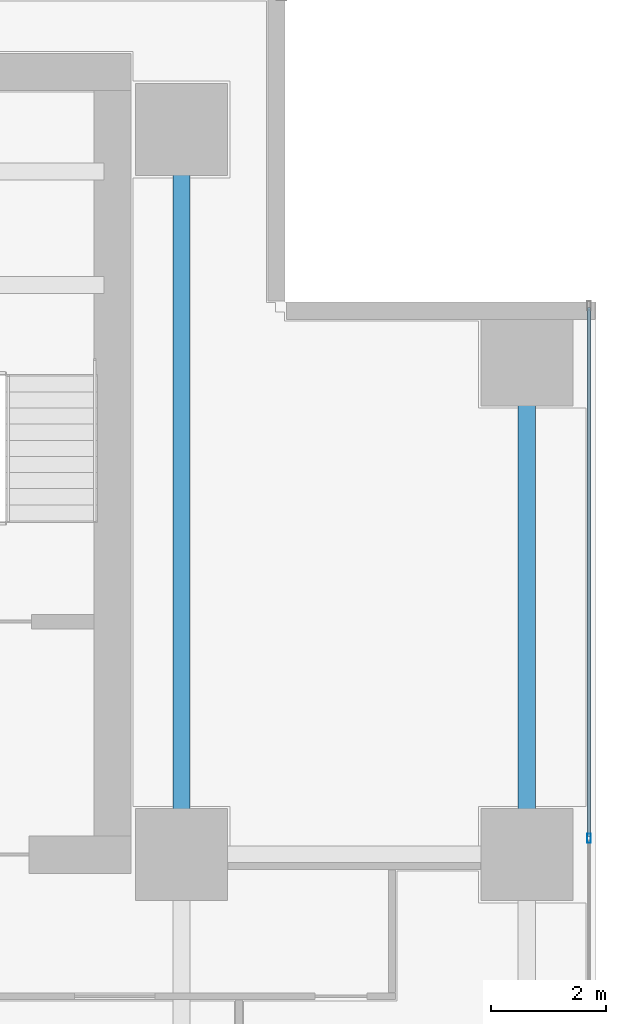
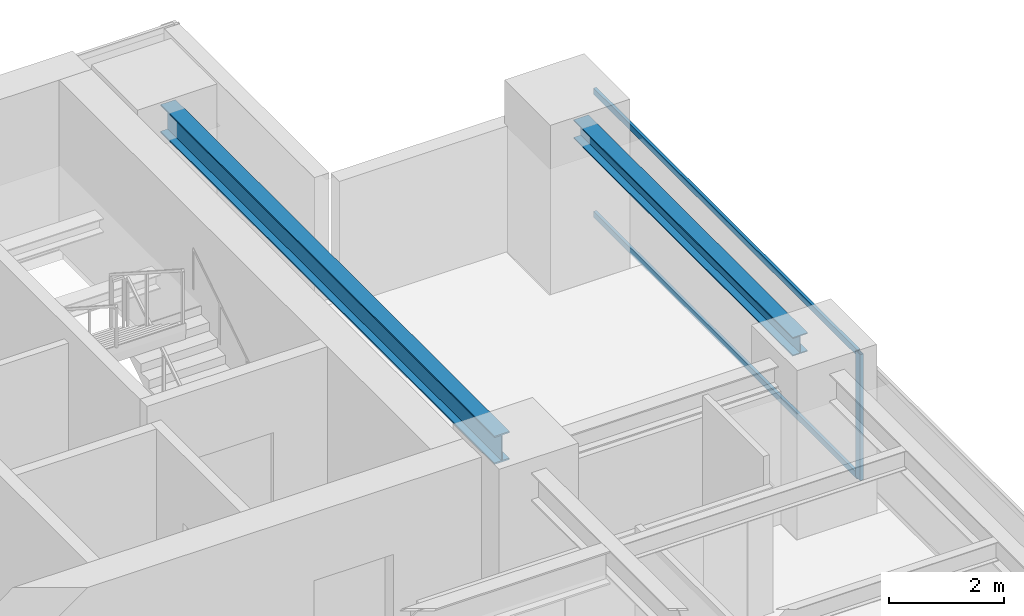
# One storey, part 18 of 28: 3 members, 2 beams, 1 element without a shape of its own.
"""IFC4 building model written with IfcOpenShell, lengths in metres."""

from ifc_helpers import new_model, si_unit, direction, frame, origin, origin_2d, place, context, subcontext, project, spatial, hollow_rectangle, i_section, extrude, source, transform, mapped, material, layer, layer_set, material_profile, profile_set, type_object, element, aggregate, save


model = new_model("IFC4")

# Units and contexts
model_context = context("Model", 3, precision=1e-05, world=origin(), true_north=direction((0.0, 1.0)))
body_context = subcontext(model_context, "Body", "Model", "MODEL_VIEW")
ifc_project = project(units=[si_unit("LENGTHUNIT", "METRE"), si_unit("AREAUNIT", "SQUARE_METRE"), si_unit("VOLUMEUNIT", "CUBIC_METRE"), si_unit("PLANEANGLEUNIT", "RADIAN"), si_unit("MASSUNIT", "GRAM", prefix="KILO")], contexts=[model_context])

# Site, building, storey
site_placement = place(None, origin())
site = spatial("IfcSite", under=ifc_project, at=site_placement, CompositionType="ELEMENT")
building_placement = place(site_placement, origin())
building = spatial("IfcBuilding", under=site, at=building_placement, Name="Sumidabori Civic Tower", CompositionType="ELEMENT")
storey_placement = place(building_placement, frame((0.0, 0.0, 185.60009765625)))
storey = spatial("IfcBuildingStorey", under=building, at=storey_placement, Name="L48", CompositionType="ELEMENT", Elevation=185.60009765625)

# Beams
ifc_material_1 = material(Name="Steel SN490", Category="steel")
ifc_material_profile_1 = material_profile(ifc_material_1, i_section(OverallWidth=0.300048828125, OverallDepth=0.39990234375, WebThickness=0.013427734375, FlangeThickness=0.02392578125, at=origin_2d()), Name="HE 400 B")
ifc_profile_set_1 = profile_set([ifc_material_profile_1], Name="Steel SN490")
beam_type_1 = type_object("IfcBeamType", Name="BM-GIRD-400", PredefinedType="BEAM", material=ifc_profile_set_1)
shared_shape_1 = source(origin(), body_context, "Body", "SweptSolid", [
    extrude(i_section(OverallWidth=0.300048828125, OverallDepth=0.39990234375, WebThickness=0.013427734375, FlangeThickness=0.02392578125, at=origin_2d()), origin(), (0.0, 0.0, 1.0), 7.64013671875),
])
beam_1_placement = place(storey_placement, frame((22.800048828125, 10.679931640625, 3.099853515625), z_axis=(0.0, 1.0, 0.0), x_axis=(-1.0, 0.0, 0.0)))
element("IfcBeam", 1, at=beam_1_placement, inside=storey, type_object=beam_type_1, Name="Primary Girder L48 GY-38", PredefinedType="BEAM", context=body_context, shape_type="MappedRepresentation", body=[
    mapped(shared_shape_1, transform((0.0, 0.0, 0.0), x_axis=(1.0, 0.0, 0.0), y_axis=(0.0, 1.0, 0.0), z_axis=(0.0, 0.0, 1.0), scale=1.0)),
])
ifc_material_profile_2 = material_profile(ifc_material_1, i_section(OverallWidth=0.300048828125, OverallDepth=0.60009765625, WebThickness=0.015380859375, FlangeThickness=0.030029296875, at=origin_2d()), Name="HE 600 B")
ifc_profile_set_2 = profile_set([ifc_material_profile_2], Name="Steel SN490")
beam_type_2 = type_object("IfcBeamType", Name="BM-GIRD-600", PredefinedType="BEAM", material=ifc_profile_set_2)
shared_shape_2 = source(origin(), body_context, "Body", "SweptSolid", [
    extrude(i_section(OverallWidth=0.300048828125, OverallDepth=0.60009765625, WebThickness=0.015380859375, FlangeThickness=0.030029296875, at=origin_2d()), origin(), (0.0, 0.0, 1.0), 11.64013671875),
])
beam_2_placement = place(storey_placement, frame((16.800048828125, 10.679931640625, 3.0), z_axis=(0.0, 1.0, 0.0), x_axis=(-1.0, 0.0, 0.0)))
element("IfcBeam", 2, at=beam_2_placement, inside=storey, type_object=beam_type_2, Name="Primary Girder L48 GY-35", PredefinedType="BEAM", context=body_context, shape_type="MappedRepresentation", body=[
    mapped(shared_shape_2, transform((0.0, 0.0, 0.0), x_axis=(1.0, 0.0, 0.0), y_axis=(0.0, 1.0, 0.0), z_axis=(0.0, 0.0, 1.0), scale=1.0)),
])

# Curtain wall, members
ifc_material_2 = material(Name="Anodised Bronze Aluminium AW-6063-T6", Category="aluminium")
ifc_layer = layer(ifc_material_2, 0.179931640625, Name="Anodised Bronze Aluminium AW-6063-T6")
ifc_layer_set = layer_set([ifc_layer], Name="Anodised Bronze Aluminium AW-6063-T6")
curtain_wall_type = type_object("IfcCurtainWallType", Name="CW-SYS-3", PredefinedType="NOTDEFINED", material=ifc_layer_set)
curtain_wall_placement = place(storey_placement, origin())
curtain_wall = element("IfcCurtainWall", 3, at=curtain_wall_placement, inside=storey, type_object=curtain_wall_type, Name="Curtain Wall CW:L48:R04", PredefinedType="NOTDEFINED")
ifc_material_profile_3 = material_profile(ifc_material_2, hollow_rectangle(XDim=0.06494140625, YDim=0.159912109375, WallThickness=0.0048828125, at=origin_2d()), Name="ALU MULLION 160x65")
ifc_profile_set_3 = profile_set([ifc_material_profile_3], Name="Anodised Bronze Aluminium AW-6063-T6")
member_type_1 = type_object("IfcMemberType", Name="CW-MUL-160", PredefinedType="MULLION", material=ifc_profile_set_3)
shared_shape_3 = source(origin(), body_context, "Body", "SweptSolid", [
    extrude(hollow_rectangle(XDim=0.06494140625, YDim=0.159912109375, WallThickness=0.0048828125, at=origin_2d()), origin(), (0.0, 0.0, 1.0), 2.679931640625),
])
member_1_placement = place(storey_placement, frame((23.8798828125, 10.485107421875, 0.0), z_axis=(0.0, 0.0, 1.0), x_axis=(-1.0, 0.0, 0.0)))
member_1 = element("IfcMember", 4, at=member_1_placement, type_object=member_type_1, Name="CW-3 mullion 4", PredefinedType="MULLION", context=body_context, shape_type="MappedRepresentation", body=[
    mapped(shared_shape_3, transform((0.0, 0.0, 0.0), x_axis=(1.0, 0.0, 0.0), y_axis=(0.0, 1.0, 0.0), z_axis=(0.0, 0.0, 1.0), scale=1.0)),
])
ifc_material_profile_4 = material_profile(ifc_material_2, hollow_rectangle(XDim=0.06005859375, YDim=0.1298828125, WallThickness=0.0048828125, at=origin_2d()), Name="ALU TRANSOM 130x60")
ifc_profile_set_4 = profile_set([ifc_material_profile_4], Name="Anodised Bronze Aluminium AW-6063-T6")
member_type_2 = type_object("IfcMemberType", Name="CW-TRN-130", PredefinedType="USERDEFINED", material=ifc_profile_set_4)
shared_shape_4 = source(origin(), body_context, "Body", "SweptSolid", [
    extrude(hollow_rectangle(XDim=0.06005859375, YDim=0.1298828125, WallThickness=0.0048828125, at=origin_2d()), origin(), (0.0, 0.0, 1.0), 9.1875),
])
member_2_placement = place(storey_placement, frame((23.8798828125, 10.517578125, 0.02978515625), z_axis=(0.0, 1.0, 0.0), x_axis=(-1.0, 0.0, 0.0)))
member_2 = element("IfcMember", 5, at=member_2_placement, type_object=member_type_2, Name="CW-3 transom 4.1", ObjectType="TRANSOM", PredefinedType="USERDEFINED", context=body_context, shape_type="MappedRepresentation", body=[
    mapped(shared_shape_4, transform((0.0, 0.0, 0.0), x_axis=(1.0, 0.0, 0.0), y_axis=(0.0, 1.0, 0.0), z_axis=(0.0, 0.0, 1.0), scale=1.0)),
])
member_3_placement = place(storey_placement, frame((23.8798828125, 10.517578125, 2.64990234375), z_axis=(0.0, 1.0, 0.0), x_axis=(-1.0, 0.0, 0.0)))
member_3 = element("IfcMember", 6, at=member_3_placement, type_object=member_type_2, Name="CW-3 transom 4.2", ObjectType="TRANSOM", PredefinedType="USERDEFINED", context=body_context, shape_type="MappedRepresentation", body=[
    mapped(shared_shape_4, transform((0.0, 0.0, 0.0), x_axis=(1.0, 0.0, 0.0), y_axis=(0.0, 1.0, 0.0), z_axis=(0.0, 0.0, 1.0), scale=1.0)),
])
aggregate(curtain_wall, [member_1, member_2, member_3])

save(model, "model.ifc")
